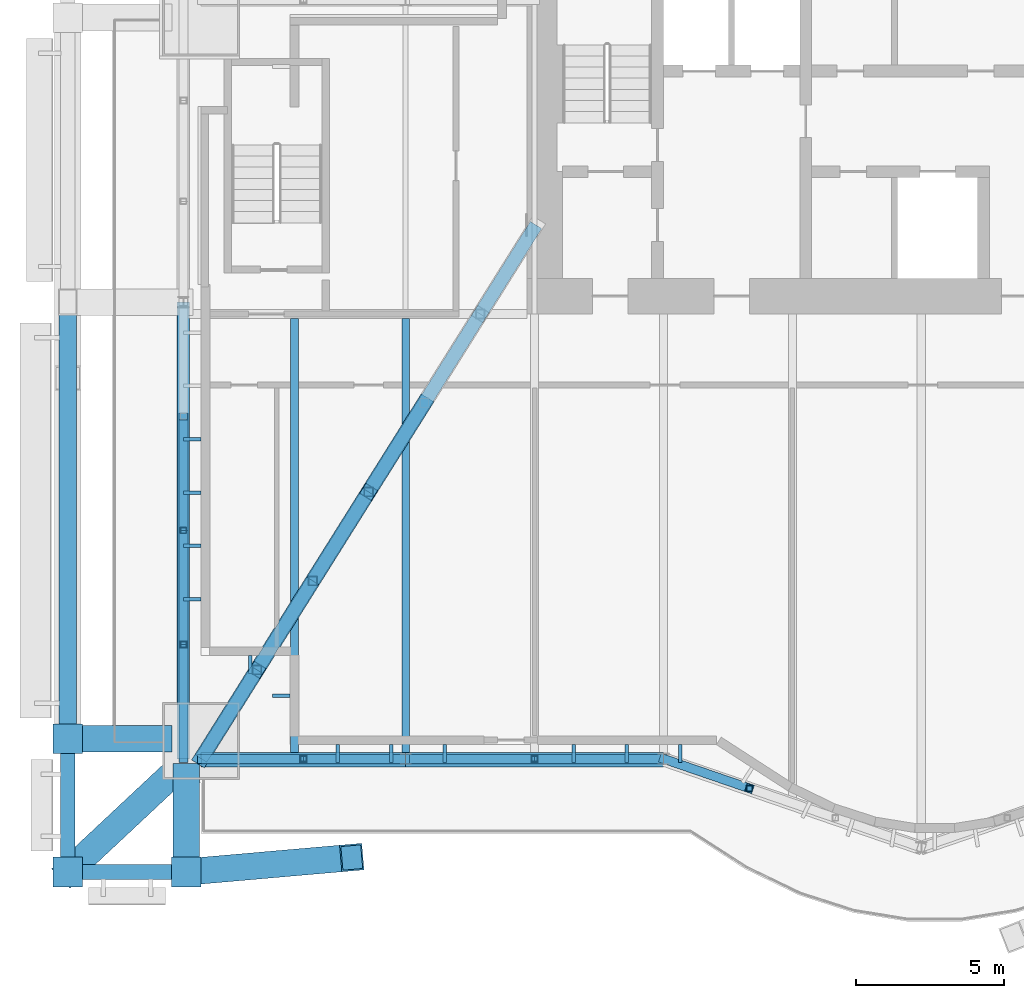
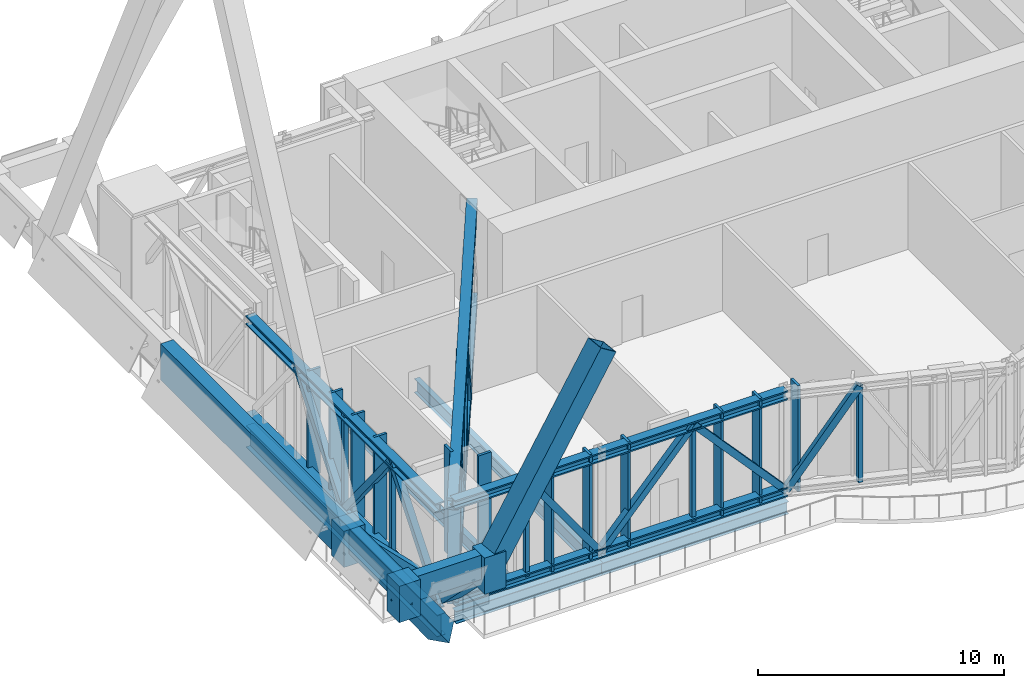
# One storey, part 5 of 31: 47 members, 8 beams, 1 element without a shape of its own.
"""IFC4 building model written with IfcOpenShell, lengths in metres."""

import ifcopenshell
import ifcopenshell.guid

model = None  # the IFC model being written
_history = None  # IfcOwnerHistory: only IFC2X3 demands one
_inside = {}  # id of a spatial element -> (the spatial element, [elements in it])
_under = {}  # id of a project, library or spatial element -> (it, [spatial elements below it])
_declared = {}  # id of a project -> (the project, [libraries it declares])
_typed = {}  # id of a type object -> (the type object, [elements of that type])
_made_of = {}  # id of a material, layer set ... -> (it, [elements and type objects made of it])


def new_model(schema):
    """Start an empty IFC model of exactly this schema.

    Asked for "IFC4X3", IfcOpenShell would pick the latest addendum, in which some entities
    have other attributes; the version numbers below select the first issue.
    IFC2X3 requires an IfcOwnerHistory on every rooted entity: one is made here for all.
    """
    global model, _history
    if schema == "IFC4X3":
        model = ifcopenshell.file(schema_version=(4, 3, 0, 0))
    else:
        model = ifcopenshell.file(schema=schema)
    _inside.clear()
    _under.clear()
    _declared.clear()
    _typed.clear()
    _made_of.clear()
    _history = None
    if model.schema == "IFC2X3":
        org = make("IfcOrganization", Name="unknown")
        user = make(
            "IfcPersonAndOrganization",
            ThePerson=make("IfcPerson", FamilyName="unknown"),
            TheOrganization=org,
        )
        app = make(
            "IfcApplication",
            ApplicationDeveloper=org,
            Version="unknown",
            ApplicationFullName="unknown",
            ApplicationIdentifier="unknown",
        )
        _history = make(
            "IfcOwnerHistory",
            OwningUser=user,
            OwningApplication=app,
            ChangeAction="ADDED",
            CreationDate=0,
        )
    return model


def make(cls, **values):
    """One entity of the class cls with the attributes given. An attribute that is None is left unset."""
    return model.create_entity(
        cls, **{name: value for name, value in values.items() if value is not None}
    )


def rooted(cls, **values):
    """An entity with a GlobalId (a new one), such as an element, a storey or a relation."""
    return make(cls, GlobalId=ifcopenshell.guid.new(), OwnerHistory=_history, **values)


def si_unit(unit_type, name, prefix=None):
    """IfcSIUnit, for example si_unit("LENGTHUNIT", "METRE", prefix="MILLI")."""
    return make("IfcSIUnit", UnitType=unit_type, Prefix=prefix, Name=name)


def assignment(units):
    """IfcUnitAssignment: the units of a project."""
    return None if units is None else make("IfcUnitAssignment", Units=units)


def point(xyz):
    """IfcCartesianPoint."""
    return None if xyz is None else make("IfcCartesianPoint", Coordinates=xyz)


def direction(xyz):
    """IfcDirection."""
    return None if xyz is None else make("IfcDirection", DirectionRatios=xyz)


def frame(location, z_axis=None, x_axis=None):
    """IfcAxis2Placement3D, a coordinate frame: its origin and axes. An axis left out is left unset."""
    return make(
        "IfcAxis2Placement3D",
        Location=point(location),
        Axis=direction(z_axis),
        RefDirection=direction(x_axis),
    )


def frame_2d(location, x_axis=None):
    """IfcAxis2Placement2D, a coordinate frame in the plane: its origin and x axis."""
    return make(
        "IfcAxis2Placement2D", Location=point(location), RefDirection=direction(x_axis)
    )


def origin():
    """The frame at (0, 0, 0) with its axes left unset."""
    return frame((0.0, 0.0, 0.0))


def origin_2d():
    """The frame at (0, 0) in the plane with its x axis left unset."""
    return frame_2d((0.0, 0.0))


def place(relative_to, where):
    """IfcLocalPlacement: puts the frame where relative to a parent placement (None: the world)."""
    return make(
        "IfcLocalPlacement", PlacementRelTo=relative_to, RelativePlacement=where
    )


def context(
    kind, dimensions, precision=None, world=None, true_north=None, identifier=None
):
    """IfcGeometricRepresentationContext, for example the 3D "Model" context."""
    return make(
        "IfcGeometricRepresentationContext",
        ContextIdentifier=identifier,
        ContextType=kind,
        CoordinateSpaceDimension=dimensions,
        Precision=precision,
        WorldCoordinateSystem=world,
        TrueNorth=true_north,
    )


def subcontext(parent, identifier, kind, view, scale=None):
    """IfcGeometricRepresentationSubContext, for example "Body" below "Model"."""
    return make(
        "IfcGeometricRepresentationSubContext",
        ContextIdentifier=identifier,
        ContextType=kind,
        ParentContext=parent,
        TargetScale=scale,
        TargetView=view,
    )


def project(units=None, contexts=None):
    """IfcProject with its units and contexts."""
    return rooted(
        "IfcProject",
        Name="project",
        RepresentationContexts=contexts,
        UnitsInContext=assignment(units),
    )


def spatial(cls, under=None, at=None, **own):
    """A site, building, storey or space (cls), placed at a placement, below another one or the project."""
    s = rooted(cls, ObjectPlacement=at, **own)
    if under is not None:
        _under.setdefault(under.id(), (under, []))[1].append(s)
    return s


def profile(cls, at=None, kind="AREA", **sizes):
    """A parametric profile (cls). Its sizes go by their IFC names, for example OverallWidth=200.0."""
    return make(cls, ProfileType=kind, Position=at, **sizes)


def rectangle(**sizes):
    """IfcRectangleProfileDef."""
    return profile("IfcRectangleProfileDef", **sizes)


def hollow_rectangle(**sizes):
    """IfcRectangleHollowProfileDef."""
    return profile("IfcRectangleHollowProfileDef", **sizes)


def i_section(**sizes):
    """IfcIShapeProfileDef."""
    return profile("IfcIShapeProfileDef", **sizes)


def extrude(swept, where, along, depth):
    """IfcExtrudedAreaSolid: the profile swept, set in the frame where, extruded along a direction by depth."""
    return make(
        "IfcExtrudedAreaSolid",
        SweptArea=swept,
        Position=where,
        ExtrudedDirection=direction(along),
        Depth=depth,
    )


def shape(context_of_items, identifier, shape_type, items):
    """IfcShapeRepresentation: the items that make up one representation, for example the "Body"."""
    return make(
        "IfcShapeRepresentation",
        ContextOfItems=context_of_items,
        RepresentationIdentifier=identifier,
        RepresentationType=shape_type,
        Items=items,
    )


def material(Name=None, Category=None):
    """IfcMaterial."""
    return make("IfcMaterial", Name=Name, Category=Category)


def material_profile(
    of_material, cross_section, Name=None, Category=None, Priority=None
):
    """IfcMaterialProfile: a cross section and its material."""
    return make(
        "IfcMaterialProfile",
        Name=Name,
        Material=of_material,
        Profile=cross_section,
        Priority=Priority,
        Category=Category,
    )


def profile_set(profiles, Name=None, composite=None):
    """IfcMaterialProfileSet."""
    return make(
        "IfcMaterialProfileSet",
        Name=Name,
        MaterialProfiles=profiles,
        CompositeProfile=composite,
    )


def made_of(thing, what):
    """Note that an element or type object is made of a material, layer set ...; save() writes the relation."""
    if what is not None:
        _made_of.setdefault(what.id(), (what, []))[1].append(thing)
    return thing


def type_object(cls, material=None, **own):
    """A type object (cls), such as IfcWallType, which elements share."""
    return made_of(rooted(cls, **own), material)


def element(
    cls,
    number,
    at=None,
    inside=None,
    cuts=None,
    type_object=None,
    material=None,
    context=None,
    identifier="Body",
    shape_type=None,
    held_by="IfcProductDefinitionShape",
    body=None,
    shapes=None,
    **own,
):
    """One element of the class cls, such as IfcWall. Its Tag is "e" and its number.

    at: its placement. inside: the storey or other place that contains it. cuts: it is an
    opening in that element (IfcRelVoidsElement). A single representation is given by context,
    identifier, shape_type and body (its items); several are given by shapes. held_by: the class
    of the entity that holds the representations. save() writes the other relations.
    """
    e = rooted(cls, Tag="e%d" % number, ObjectPlacement=at, **own)
    if body is not None:
        shapes = [shape(context, identifier, shape_type, body)]
    if shapes is not None:
        e.Representation = make(held_by, Representations=shapes)
    if inside is not None:
        _inside.setdefault(inside.id(), (inside, []))[1].append(e)
    if cuts is not None:
        rooted(
            "IfcRelVoidsElement", RelatingBuildingElement=cuts, RelatedOpeningElement=e
        )
    if type_object is not None:
        _typed.setdefault(type_object.id(), (type_object, []))[1].append(e)
    return made_of(e, material)


def aggregate(whole, parts):
    """IfcRelAggregates: a whole, such as a stair, and the parts it consists of."""
    return rooted("IfcRelAggregates", RelatingObject=whole, RelatedObjects=parts)


def save(model, path):
    """Write the relations noted so far, then the file.

    IfcRelAggregates (storeys below a building ...), IfcRelContainedInSpatialStructure (elements
    in a storey), IfcRelDefinesByType, IfcRelAssociatesMaterial and IfcRelDeclares: one each for
    every whole, place, type object, material and project.
    """
    for whole, parts in _under.values():
        aggregate(whole, parts)
    for where, things in _inside.values():
        rooted(
            "IfcRelContainedInSpatialStructure",
            RelatedElements=things,
            RelatingStructure=where,
        )
    for kind, things in _typed.values():
        rooted("IfcRelDefinesByType", RelatedObjects=things, RelatingType=kind)
    for what, things in _made_of.values():
        rooted("IfcRelAssociatesMaterial", RelatedObjects=things, RelatingMaterial=what)
    for by, libraries in _declared.values():
        rooted("IfcRelDeclares", RelatingContext=by, RelatedDefinitions=libraries)
    model.write(path)


model = new_model("IFC4")

# Units and contexts
model_context = context("Model", 3, precision=1e-05, world=origin(), true_north=direction((0.0, 1.0)))
body_context = subcontext(model_context, "Body", "Model", "MODEL_VIEW")
ifc_project = project(units=[si_unit("LENGTHUNIT", "METRE"), si_unit("AREAUNIT", "SQUARE_METRE"), si_unit("VOLUMEUNIT", "CUBIC_METRE"), si_unit("PLANEANGLEUNIT", "RADIAN"), si_unit("MASSUNIT", "GRAM", prefix="KILO")], contexts=[model_context])

# Site, building, storey
site_placement = place(None, origin())
site = spatial("IfcSite", under=ifc_project, at=site_placement, CompositionType="ELEMENT")
building_placement = place(site_placement, origin())
building = spatial("IfcBuilding", under=site, at=building_placement, Name="Bicima Exchange Tower", CompositionType="ELEMENT")
storey_placement = place(building_placement, frame((0.0, 0.0, 236.0)))
storey = spatial("IfcBuildingStorey", under=building, at=storey_placement, Name="L53", CompositionType="ELEMENT", Elevation=236.0)

# Curtain wall, members
ifc_material_1 = material(Name="Anodised bronze aluminium", Category="aluminium")
curtain_wall_type = type_object("IfcCurtainWallType", Name="Band blade screen", PredefinedType="NOTDEFINED", material=ifc_material_1)
curtain_wall_placement = place(storey_placement, origin())
curtain_wall = element("IfcCurtainWall", 1, at=curtain_wall_placement, inside=storey, type_object=curtain_wall_type, Name="Band blade screen L53", PredefinedType="NOTDEFINED")
ifc_material_profile_1 = material_profile(ifc_material_1, rectangle(XDim=0.60009765625, YDim=0.1201171875, at=origin_2d()))
ifc_profile_set_1 = profile_set([ifc_material_profile_1], Name="Anodised bronze aluminium")
member_type_1 = type_object("IfcMemberType", Name="Band blade fin 600 x 120", PredefinedType="USERDEFINED", material=ifc_profile_set_1)
member_1_placement = place(storey_placement, frame((-33.300048828125, -17.22802734375, 0.0), z_axis=(0.0, 0.0, 1.0), x_axis=(1.0, 0.0, 0.0)))
member_1 = element("IfcMember", 2, at=member_1_placement, type_object=member_type_1, Name="Band blade fin 13", ObjectType="FIN", PredefinedType="USERDEFINED", context=body_context, shape_type="SweptSolid", body=[
    extrude(rectangle(XDim=0.60009765625, YDim=0.1201171875, at=origin_2d()), origin(), (0.0, 0.0, 1.0), 5.25),
])
member_2_placement = place(storey_placement, frame((-33.300048828125, -19.028076171875, 0.0), z_axis=(0.0, 0.0, 1.0), x_axis=(1.0, 0.0, 0.0)))
member_2 = element("IfcMember", 3, at=member_2_placement, type_object=member_type_1, Name="Band blade fin 14", ObjectType="FIN", PredefinedType="USERDEFINED", context=body_context, shape_type="SweptSolid", body=[
    extrude(rectangle(XDim=0.60009765625, YDim=0.1201171875, at=origin_2d()), origin(), (0.0, 0.0, 1.0), 5.25),
])
member_3_placement = place(storey_placement, frame((-33.300048828125, -20.828125, 0.0), z_axis=(0.0, 0.0, 1.0), x_axis=(1.0, 0.0, 0.0)))
member_3 = element("IfcMember", 4, at=member_3_placement, type_object=member_type_1, Name="Band blade fin 15", ObjectType="FIN", PredefinedType="USERDEFINED", context=body_context, shape_type="SweptSolid", body=[
    extrude(rectangle(XDim=0.60009765625, YDim=0.1201171875, at=origin_2d()), origin(), (0.0, 0.0, 1.0), 5.25),
])
member_4_placement = place(storey_placement, frame((-33.300048828125, -22.628173828125, 0.0), z_axis=(0.0, 0.0, 1.0), x_axis=(1.0, 0.0, 0.0)))
member_4 = element("IfcMember", 5, at=member_4_placement, type_object=member_type_1, Name="Band blade fin 16", ObjectType="FIN", PredefinedType="USERDEFINED", context=body_context, shape_type="SweptSolid", body=[
    extrude(rectangle(XDim=0.60009765625, YDim=0.1201171875, at=origin_2d()), origin(), (0.0, 0.0, 1.0), 5.25),
])
member_5_placement = place(storey_placement, frame((-31.35009765625, -24.83203125, 0.0), z_axis=(0.0, 0.0, 1.0), x_axis=(0.0, 1.0, 0.0)))
member_5 = element("IfcMember", 6, at=member_5_placement, type_object=member_type_1, Name="Band blade fin 17", ObjectType="FIN", PredefinedType="USERDEFINED", context=body_context, shape_type="SweptSolid", body=[
    extrude(rectangle(XDim=0.60009765625, YDim=0.1201171875, at=origin_2d()), origin(), (0.0, 0.0, 1.0), 5.25),
])
member_6_placement = place(storey_placement, frame((-30.300048828125, -25.882080078125, 0.0), z_axis=(0.0, 0.0, 1.0), x_axis=(1.0, 0.0, 0.0)))
member_6 = element("IfcMember", 7, at=member_6_placement, type_object=member_type_1, Name="Band blade fin 18", ObjectType="FIN", PredefinedType="USERDEFINED", context=body_context, shape_type="SweptSolid", body=[
    extrude(rectangle(XDim=0.60009765625, YDim=0.1201171875, at=origin_2d()), origin(), (0.0, 0.0, 1.0), 5.25),
])
member_7_placement = place(storey_placement, frame((-28.38720703125, -27.83203125, 0.0), z_axis=(0.0, 0.0, 1.0), x_axis=(0.0, 1.0, 0.0)))
member_7 = element("IfcMember", 8, at=member_7_placement, type_object=member_type_1, Name="Band blade fin 19", ObjectType="FIN", PredefinedType="USERDEFINED", context=body_context, shape_type="SweptSolid", body=[
    extrude(rectangle(XDim=0.60009765625, YDim=0.1201171875, at=origin_2d()), origin(), (0.0, 0.0, 1.0), 5.25),
])
member_8_placement = place(storey_placement, frame((-26.587158203125, -27.83203125, 0.0), z_axis=(0.0, 0.0, 1.0), x_axis=(0.0, 1.0, 0.0)))
member_8 = element("IfcMember", 9, at=member_8_placement, type_object=member_type_1, Name="Band blade fin 20", ObjectType="FIN", PredefinedType="USERDEFINED", context=body_context, shape_type="SweptSolid", body=[
    extrude(rectangle(XDim=0.60009765625, YDim=0.1201171875, at=origin_2d()), origin(), (0.0, 0.0, 1.0), 5.25),
])
member_9_placement = place(storey_placement, frame((-24.787109375, -27.83203125, 0.0), z_axis=(0.0, 0.0, 1.0), x_axis=(0.0, 1.0, 0.0)))
member_9 = element("IfcMember", 10, at=member_9_placement, type_object=member_type_1, Name="Band blade fin 21", ObjectType="FIN", PredefinedType="USERDEFINED", context=body_context, shape_type="SweptSolid", body=[
    extrude(rectangle(XDim=0.60009765625, YDim=0.1201171875, at=origin_2d()), origin(), (0.0, 0.0, 1.0), 5.25),
])
member_10_placement = place(storey_placement, frame((-20.432373046875, -27.83203125, 0.0), z_axis=(0.0, 0.0, 1.0), x_axis=(0.0, 1.0, 0.0)))
member_10 = element("IfcMember", 11, at=member_10_placement, type_object=member_type_1, Name="Band blade fin 22", ObjectType="FIN", PredefinedType="USERDEFINED", context=body_context, shape_type="SweptSolid", body=[
    extrude(rectangle(XDim=0.60009765625, YDim=0.1201171875, at=origin_2d()), origin(), (0.0, 0.0, 1.0), 5.25),
])
member_11_placement = place(storey_placement, frame((-18.63232421875, -27.83203125, 0.0), z_axis=(0.0, 0.0, 1.0), x_axis=(0.0, 1.0, 0.0)))
member_11 = element("IfcMember", 12, at=member_11_placement, type_object=member_type_1, Name="Band blade fin 23", ObjectType="FIN", PredefinedType="USERDEFINED", context=body_context, shape_type="SweptSolid", body=[
    extrude(rectangle(XDim=0.60009765625, YDim=0.1201171875, at=origin_2d()), origin(), (0.0, 0.0, 1.0), 5.25),
])
member_12_placement = place(storey_placement, frame((-16.832275390625, -27.83203125, 0.0), z_axis=(0.0, 0.0, 1.0), x_axis=(0.0, 1.0, 0.0)))
member_12 = element("IfcMember", 13, at=member_12_placement, type_object=member_type_1, Name="Band blade fin 24", ObjectType="FIN", PredefinedType="USERDEFINED", context=body_context, shape_type="SweptSolid", body=[
    extrude(rectangle(XDim=0.60009765625, YDim=0.1201171875, at=origin_2d()), origin(), (0.0, 0.0, 1.0), 5.25),
])
aggregate(curtain_wall, [member_1, member_2, member_3, member_4, member_5, member_6, member_7, member_8, member_9, member_10, member_11, member_12])

# Beams
ifc_material_2 = material(Name="Steel ASTM A572 Gr 50", Category="steel")
ifc_material_profile_2 = material_profile(ifc_material_2, hollow_rectangle(XDim=0.5, YDim=1.199951171875, WallThickness=0.0400390625, at=origin_2d()))
ifc_profile_set_2 = profile_set([ifc_material_profile_2], Name="Steel ASTM A572 Gr 50")
beam_type_1 = type_object("IfcBeamType", Name="Belt girder BOX 500x1200x40", PredefinedType="BEAM", material=ifc_profile_set_2)
beam_1_placement = place(storey_placement, frame((-37.5, -31.82861328125, 4.64990234375), z_axis=(1.0, 0.0, 0.0), x_axis=(0.0, 1.0, 0.0)))
element("IfcBeam", 14, at=beam_1_placement, inside=storey, type_object=beam_type_1, Name="Belt girder", PredefinedType="BEAM", context=body_context, shape_type="SweptSolid", body=[
    extrude(hollow_rectangle(XDim=0.5, YDim=1.199951171875, WallThickness=0.0400390625, at=origin_2d()), origin(), (0.0, 0.0, 1.0), 4.0),
])
beam_2_placement = place(storey_placement, frame((-37.5, -27.32861328125, 4.64990234375), z_axis=(0.0, -1.0, 0.0), x_axis=(1.0, 0.0, 0.0)))
element("IfcBeam", 15, at=beam_2_placement, inside=storey, type_object=beam_type_1, Name="Belt girder", PredefinedType="BEAM", context=body_context, shape_type="SweptSolid", body=[
    extrude(hollow_rectangle(XDim=0.5, YDim=1.199951171875, WallThickness=0.0400390625, at=origin_2d()), origin(), (0.0, 0.0, 1.0), 4.5),
])
ifc_material_profile_3 = material_profile(ifc_material_2, hollow_rectangle(XDim=0.60009765625, YDim=1.800048828125, WallThickness=0.06005859375, at=origin_2d()))
ifc_profile_set_3 = profile_set([ifc_material_profile_3], Name="Steel ASTM A572 Gr 50")
beam_type_2 = type_object("IfcBeamType", Name="Belt girder BOX 600x1800x60", PredefinedType="BEAM", material=ifc_profile_set_3)
beam_3_placement = place(storey_placement, frame((-37.5, -12.60009765625, 4.35009765625), z_axis=(0.0, -1.0, 0.0), x_axis=(1.0, 0.0, 0.0)))
element("IfcBeam", 16, at=beam_3_placement, inside=storey, type_object=beam_type_2, Name="Belt girder", PredefinedType="BEAM", context=body_context, shape_type="SweptSolid", body=[
    extrude(hollow_rectangle(XDim=0.60009765625, YDim=1.800048828125, WallThickness=0.06005859375, at=origin_2d()), origin(), (0.0, 0.0, 1.0), 14.728515625),
])

# Members
ifc_material_3 = material(Name="Steel ASTM A992 Gr 50", Category="steel")
ifc_material_profile_4 = material_profile(ifc_material_3, i_section(OverallWidth=0.419189453125, OverallDepth=0.45458984375, WebThickness=0.042236328125, FlangeThickness=0.067626953125, at=origin_2d()))
ifc_profile_set_4 = profile_set([ifc_material_profile_4], Name="Steel ASTM A992 Gr 50")
member_type_2 = type_object("IfcMemberType", Name="Belt truss chord W14x370", PredefinedType="CHORD", material=ifc_profile_set_4)
for number, where, z_axis, x_axis, name in (
    (17, (-33.0, -28.010009765625, 5.022705078125), (1.0, 0.0, 0.0), (0.0, 1.0, 0.0), "Top chord"),
    (18, (-33.0, -28.010009765625, 0.227294921875), (1.0, 0.0, 0.0), (0.0, 1.0, 0.0), "Bottom chord"),
):
    element("IfcMember", number, at=place(storey_placement, frame(where, z_axis=z_axis, x_axis=x_axis)), inside=storey, type_object=member_type_2, Name=name, PredefinedType="CHORD", context=body_context, shape_type="SweptSolid", body=[
        extrude(i_section(OverallWidth=0.419189453125, OverallDepth=0.45458984375, WebThickness=0.042236328125, FlangeThickness=0.067626953125, at=origin_2d()), origin(), (0.0, 0.0, 1.0), 6.89990234375),
    ])
for number, where, z_axis, x_axis, name in (
    (19, (-26.10009765625, -28.010009765625, 5.022705078125), (1.0, 0.0, 0.0), (0.0, 1.0, 0.0), "Top chord"),
    (20, (-26.10009765625, -28.010009765625, 0.227294921875), (1.0, 0.0, 0.0), (0.0, 1.0, 0.0), "Bottom chord"),
):
    element("IfcMember", number, at=place(storey_placement, frame(where, z_axis=z_axis, x_axis=x_axis)), inside=storey, type_object=member_type_2, Name=name, PredefinedType="CHORD", context=body_context, shape_type="SweptSolid", body=[
        extrude(i_section(OverallWidth=0.419189453125, OverallDepth=0.45458984375, WebThickness=0.042236328125, FlangeThickness=0.067626953125, at=origin_2d()), origin(), (0.0, 0.0, 1.0), 8.7001953125),
    ])
for number, where, z_axis, x_axis, name in (
    (21, (-33.60009765625, -12.60009765625, 5.022705078125), (0.0, -1.0, 0.0), (1.0, 0.0, 0.0), "Top chord"),
    (22, (-33.60009765625, -12.60009765625, 0.227294921875), (0.0, -1.0, 0.0), (1.0, 0.0, 0.0), "Bottom chord"),
):
    element("IfcMember", number, at=place(storey_placement, frame(where, z_axis=z_axis, x_axis=x_axis)), inside=storey, type_object=member_type_2, Name=name, PredefinedType="CHORD", context=body_context, shape_type="SweptSolid", body=[
        extrude(i_section(OverallWidth=0.419189453125, OverallDepth=0.45458984375, WebThickness=0.042236328125, FlangeThickness=0.067626953125, at=origin_2d()), origin(), (0.0, 0.0, 1.0), 15.409912109375),
    ])
ifc_material_profile_5 = material_profile(ifc_material_2, hollow_rectangle(XDim=0.3046875, YDim=0.3046875, WallThickness=0.01171875, at=origin_2d()))
ifc_profile_set_5 = profile_set([ifc_material_profile_5], Name="Steel ASTM A572 Gr 50")
member_type_3 = type_object("IfcMemberType", Name="Belt truss diagonal HSS12x12x1/2", PredefinedType="STRUT", material=ifc_profile_set_5)
for number, where, z_axis, x_axis, name in (
    (23, (-33.0, -28.010009765625, 0.227294921875), (0.583998756388, 0.0, 0.811754551905), (0.0, 1.0, 0.0), "Truss diagonal"),
    (24, (-29.550048828125, -28.010009765625, 5.022705078125), (0.583998756388, 0.0, -0.811754551905), (0.0, 1.0, 0.0), "Truss diagonal"),
):
    element("IfcMember", number, at=place(storey_placement, frame(where, z_axis=z_axis, x_axis=x_axis)), inside=storey, type_object=member_type_3, Name=name, PredefinedType="STRUT", context=body_context, shape_type="SweptSolid", body=[
        extrude(hollow_rectangle(XDim=0.3046875, YDim=0.3046875, WallThickness=0.01171875, at=origin_2d()), origin(), (0.0, 0.0, 1.0), 5.907470703125),
    ])
for number, where, z_axis, x_axis, name in (
    (25, (-26.10009765625, -28.010009765625, 0.227294921875), (0.671880370918, 0.0, 0.740659683779), (0.0, 1.0, 0.0), "Truss diagonal"),
    (26, (-21.75, -28.010009765625, 5.022705078125), (0.671880370918, 0.0, -0.740659683779), (0.0, 1.0, 0.0), "Truss diagonal"),
):
    element("IfcMember", number, at=place(storey_placement, frame(where, z_axis=z_axis, x_axis=x_axis)), inside=storey, type_object=member_type_3, Name=name, PredefinedType="STRUT", context=body_context, shape_type="SweptSolid", body=[
        extrude(hollow_rectangle(XDim=0.3046875, YDim=0.3046875, WallThickness=0.01171875, at=origin_2d()), origin(), (0.0, 0.0, 1.0), 6.474609375),
    ])
member_13_placement = place(storey_placement, frame((-17.39990234375, -28.010009765625, 0.227294921875), z_axis=(0.509464516765, -0.175168638362, 0.842473651987), x_axis=(0.325146518908, 0.945663651222, 0.0)))
element("IfcMember", 27, at=member_13_placement, inside=storey, type_object=member_type_3, Name="Truss diagonal", PredefinedType="STRUT", context=body_context, shape_type="SweptSolid", body=[
    extrude(hollow_rectangle(XDim=0.3046875, YDim=0.3046875, WallThickness=0.01171875, at=origin_2d()), origin(), (0.0, 0.0, 1.0), 5.692138671875),
])
for number, where, z_axis, x_axis, name in (
    (28, (-33.60009765625, -16.452392578125, 5.022705078125), (0.0, -0.626300666436, -0.77958160267), (1.0, 0.0, 0.0), "Truss diagonal"),
    (29, (-33.60009765625, -20.304931640625, 0.227294921875), (0.0, -0.626300666436, 0.77958160267), (1.0, 0.0, 0.0), "Truss diagonal"),
    (30, (-33.60009765625, -24.157470703125, 5.022705078125), (0.0, -0.626300666436, -0.77958160267), (1.0, 0.0, 0.0), "Truss diagonal"),
):
    element("IfcMember", number, at=place(storey_placement, frame(where, z_axis=z_axis, x_axis=x_axis)), inside=storey, type_object=member_type_3, Name=name, PredefinedType="STRUT", context=body_context, shape_type="SweptSolid", body=[
        extrude(hollow_rectangle(XDim=0.3046875, YDim=0.3046875, WallThickness=0.01171875, at=origin_2d()), origin(), (0.0, 0.0, 1.0), 6.1513671875),
    ])
ifc_material_profile_6 = material_profile(ifc_material_2, hollow_rectangle(XDim=0.203125, YDim=0.203125, WallThickness=0.01171875, at=origin_2d()))
ifc_profile_set_6 = profile_set([ifc_material_profile_6], Name="Steel ASTM A572 Gr 50")
member_type_4 = type_object("IfcMemberType", Name="Belt truss post HSS8x8x1/2", PredefinedType="POST", material=ifc_profile_set_6)
for number, where, z_axis, x_axis, name in (
    (31, (-29.550048828125, -28.010009765625, 0.227294921875), (0.0, 0.0, 1.0), (1.0, 0.0, 0.0), "Truss post"),
    (32, (-21.75, -28.010009765625, 0.227294921875), (0.0, 0.0, 1.0), (1.0, 0.0, 0.0), "Truss post"),
    (33, (-14.5, -29.007080078125, 0.227294921875), (0.0, 0.0, 1.0), (1.0, 0.0, 0.0), "Truss post"),
    (34, (-33.60009765625, -20.304931640625, 0.227294921875), (0.0, 0.0, 1.0), (1.0, 0.0, 0.0), "Truss post"),
    (35, (-33.60009765625, -24.157470703125, 0.227294921875), (0.0, 0.0, 1.0), (1.0, 0.0, 0.0), "Truss post"),
):
    element("IfcMember", number, at=place(storey_placement, frame(where, z_axis=z_axis, x_axis=x_axis)), inside=storey, type_object=member_type_4, Name=name, PredefinedType="POST", context=body_context, shape_type="SweptSolid", body=[
        extrude(hollow_rectangle(XDim=0.203125, YDim=0.203125, WallThickness=0.01171875, at=origin_2d()), origin(), (0.0, 0.0, 1.0), 4.79541015625),
    ])

# Beam
ifc_material_profile_7 = material_profile(ifc_material_3, i_section(OverallWidth=0.4013671875, OverallDepth=1.089599609375, WebThickness=0.01806640625, FlangeThickness=0.031005859375, at=origin_2d()))
ifc_profile_set_7 = profile_set([ifc_material_profile_7], Name="Steel ASTM A992 Gr 50")
beam_type_3 = type_object("IfcBeamType", Name="End girder W44x230", PredefinedType="BEAM", material=ifc_profile_set_7)
beam_4_placement = place(storey_placement, frame((-33.60009765625, -12.60009765625, -0.744873046875), z_axis=(0.0, -1.0, 0.0), x_axis=(1.0, 0.0, 0.0)))
element("IfcBeam", 36, at=beam_4_placement, inside=storey, type_object=beam_type_3, Name="End girder", PredefinedType="BEAM", context=body_context, shape_type="SweptSolid", body=[
    extrude(i_section(OverallWidth=0.4013671875, OverallDepth=1.089599609375, WebThickness=0.01806640625, FlangeThickness=0.031005859375, at=origin_2d()), origin(), (0.0, 0.0, 1.0), 15.531982421875),
])

# Members
ifc_material_profile_8 = material_profile(ifc_material_2, hollow_rectangle(XDim=0.89990234375, YDim=0.89990234375, WallThickness=0.050048828125, at=origin_2d()))
ifc_profile_set_8 = profile_set([ifc_material_profile_8], Name="Steel ASTM A572 Gr 50")
member_type_5 = type_object("IfcMemberType", Name="Exo mega brace BOX 900x900x50", PredefinedType="BRACE", material=ifc_profile_set_8)
member_14_placement = place(storey_placement, frame((-33.5, -31.82861328125, 4.5), z_axis=(0.543906122045, 0.04751954313, 0.837799512666), x_axis=(-0.087035637192, 0.996205198671, 0.0)))
element("IfcMember", 37, at=member_14_placement, inside=storey, type_object=member_type_5, Name="Exo mega brace front", PredefinedType="BRACE", context=body_context, shape_type="SweptSolid", body=[
    extrude(hollow_rectangle(XDim=0.89990234375, YDim=0.89990234375, WallThickness=0.050048828125, at=origin_2d()), origin(), (0.0, 0.0, 1.0), 10.26513671875),
])
ifc_material_4 = material(Name="Cast steel ASTM A216 Gr WCB", Category="steel")
ifc_material_profile_9 = material_profile(ifc_material_4, rectangle(XDim=1.0, YDim=1.0, at=origin_2d()))
ifc_profile_set_9 = profile_set([ifc_material_profile_9], Name="Cast steel ASTM A216 Gr WCB")
member_type_6 = type_object("IfcMemberType", Name="Exo node block", PredefinedType="POST", material=ifc_profile_set_9)
for number, where, z_axis, x_axis, name in (
    (38, (-37.5, -31.82861328125, 3.449951171875), (0.0, 0.0, 1.0), (1.0, 0.0, 0.0), "Exo node block"),
    (39, (-33.5, -31.82861328125, 3.449951171875), (0.0, 0.0, 1.0), (1.0, 0.0, 0.0), "Exo node block"),
    (40, (-37.5, -27.32861328125, 3.449951171875), (0.0, 0.0, 1.0), (1.0, 0.0, 0.0), "Exo node block"),
):
    element("IfcMember", number, at=place(storey_placement, frame(where, z_axis=z_axis, x_axis=x_axis)), inside=storey, type_object=member_type_6, Name=name, PredefinedType="POST", context=body_context, shape_type="SweptSolid", body=[
        extrude(rectangle(XDim=1.0, YDim=1.0, at=origin_2d()), origin(), (0.0, 0.0, 1.0), 1.800048828125),
    ])
member_type_7 = type_object("IfcMemberType", Name="Exo outrigger stub BOX 900x900x50", PredefinedType="STRUT", material=ifc_profile_set_8)
member_15_placement = place(storey_placement, frame((-33.70703125, -28.279541015625, -0.89453125), z_axis=(-0.506479341854, -0.47391157264, 0.720337766324), x_axis=(0.683240404749, -0.730193501285, 0.0)))
element("IfcMember", 41, at=member_15_placement, inside=storey, type_object=member_type_7, Name="Exo outrigger stub", PredefinedType="STRUT", context=body_context, shape_type="SweptSolid", body=[
    extrude(hollow_rectangle(XDim=0.89990234375, YDim=0.89990234375, WallThickness=0.050048828125, at=origin_2d()), origin(), (0.0, 0.0, 1.0), 7.48876953125),
])
member_16_placement = place(storey_placement, frame((-33.5, -28.47998046875, 1.1513671875), z_axis=(0.0, -0.707106781187, 0.707106781187), x_axis=(1.0, 0.0, 0.0)))
element("IfcMember", 42, at=member_16_placement, inside=storey, type_object=member_type_7, Name="Exo outrigger stub", PredefinedType="STRUT", context=body_context, shape_type="SweptSolid", body=[
    extrude(hollow_rectangle(XDim=0.89990234375, YDim=0.89990234375, WallThickness=0.050048828125, at=origin_2d()), origin(), (0.0, 0.0, 1.0), 4.735595703125),
])
member_17_placement = place(storey_placement, frame((-34.300048828125, -27.32861328125, 1.300048828125), z_axis=(-0.707106781187, 0.0, 0.707106781187), x_axis=(0.0, -1.0, 0.0)))
element("IfcMember", 43, at=member_17_placement, inside=storey, type_object=member_type_7, Name="Exo outrigger stub", PredefinedType="STRUT", context=body_context, shape_type="SweptSolid", body=[
    extrude(hollow_rectangle(XDim=0.89990234375, YDim=0.89990234375, WallThickness=0.050048828125, at=origin_2d()), origin(), (0.0, 0.0, 1.0), 4.525390625),
])

# Beams
ifc_material_profile_10 = material_profile(ifc_material_3, i_section(OverallWidth=0.25390625, OverallDepth=0.67822265625, WebThickness=0.01171875, FlangeThickness=0.016357421875, at=origin_2d()))
ifc_profile_set_10 = profile_set([ifc_material_profile_10], Name="Steel ASTM A992 Gr 50")
beam_type_4 = type_object("IfcBeamType", Name="Floor beam W27x84", PredefinedType="JOIST", material=ifc_profile_set_10)
for number, where, z_axis, x_axis, name in (
    (44, (-29.85009765625, -13.15234375, -0.5390625), (0.0, -1.0, 0.0), (1.0, 0.0, 0.0), "Floor beam"),
    (45, (-26.10009765625, -13.15234375, -0.5390625), (0.0, -1.0, 0.0), (1.0, 0.0, 0.0), "Floor beam"),
):
    element("IfcBeam", number, at=place(storey_placement, frame(where, z_axis=z_axis, x_axis=x_axis)), inside=storey, type_object=beam_type_4, Name=name, PredefinedType="JOIST", context=body_context, shape_type="SweptSolid", body=[
        extrude(i_section(OverallWidth=0.25390625, OverallDepth=0.67822265625, WebThickness=0.01171875, FlangeThickness=0.016357421875, at=origin_2d()), origin(), (0.0, 0.0, 1.0), 14.817138671875),
    ])
ifc_material_profile_11 = material_profile(ifc_material_3, i_section(OverallWidth=0.3251953125, OverallDepth=0.612060546875, WebThickness=0.0126953125, FlangeThickness=0.01904296875, at=origin_2d()))
ifc_profile_set_11 = profile_set([ifc_material_profile_11], Name="Steel ASTM A992 Gr 50")
beam_type_5 = type_object("IfcBeamType", Name="Front girder W24x104", PredefinedType="BEAM", material=ifc_profile_set_11)
beam_5_placement = place(storey_placement, frame((-33.0, -28.132080078125, -0.506103515625), z_axis=(1.0, 0.0, 0.0), x_axis=(0.0, 1.0, 0.0)))
element("IfcBeam", 46, at=beam_5_placement, inside=storey, type_object=beam_type_5, Name="Front girder", PredefinedType="BEAM", context=body_context, shape_type="SweptSolid", body=[
    extrude(i_section(OverallWidth=0.3251953125, OverallDepth=0.612060546875, WebThickness=0.0126953125, FlangeThickness=0.01904296875, at=origin_2d()), origin(), (0.0, 0.0, 1.0), 6.89990234375),
])
beam_6_placement = place(storey_placement, frame((-26.10009765625, -28.132080078125, -0.506103515625), z_axis=(1.0, 0.0, 0.0), x_axis=(0.0, 1.0, 0.0)))
element("IfcBeam", 47, at=beam_6_placement, inside=storey, type_object=beam_type_5, Name="Front girder", PredefinedType="BEAM", context=body_context, shape_type="SweptSolid", body=[
    extrude(i_section(OverallWidth=0.3251953125, OverallDepth=0.612060546875, WebThickness=0.0126953125, FlangeThickness=0.01904296875, at=origin_2d()), origin(), (0.0, 0.0, 1.0), 8.7001953125),
])

# Members
ifc_material_profile_12 = material_profile(ifc_material_3, i_section(OverallWidth=0.45458984375, OverallDepth=0.56884765625, WebThickness=0.077880859375, FlangeThickness=0.124755859375, at=origin_2d()))
ifc_profile_set_12 = profile_set([ifc_material_profile_12], Name="Steel ASTM A992 Gr 50")
member_type_8 = type_object("IfcMemberType", Name="Outrigger truss chord W14x730", PredefinedType="CHORD", material=ifc_profile_set_12)
for number, where, z_axis, x_axis, name in (
    (48, (-21.699951171875, -10.0, 4.965576171875), (-0.531479277828, -0.847071294071, 0.0), (0.847071294071, -0.531479277828, 0.0), "Top chord"),
    (49, (-21.699951171875, -10.0, 0.284423828125), (-0.531479277828, -0.847071294071, 0.0), (0.847071294071, -0.531479277828, 0.0), "Bottom chord"),
):
    element("IfcMember", number, at=place(storey_placement, frame(where, z_axis=z_axis, x_axis=x_axis)), inside=storey, type_object=member_type_8, Name=name, PredefinedType="CHORD", context=body_context, shape_type="SweptSolid", body=[
        extrude(i_section(OverallWidth=0.45458984375, OverallDepth=0.56884765625, WebThickness=0.077880859375, FlangeThickness=0.124755859375, at=origin_2d()), origin(), (0.0, 0.0, 1.0), 21.261474609375),
    ])
ifc_material_profile_13 = material_profile(ifc_material_2, hollow_rectangle(XDim=0.508056640625, YDim=0.508056640625, WallThickness=0.017822265625, at=origin_2d()))
ifc_profile_set_13 = profile_set([ifc_material_profile_13], Name="Steel ASTM A572 Gr 50")
member_type_9 = type_object("IfcMemberType", Name="Outrigger truss diagonal HSS20x20x3/4", PredefinedType="STRUT", material=ifc_profile_set_13)
for number, where, z_axis, x_axis, name in (
    (50, (-25.466796875, -16.00341796875, 0.284423828125), (-0.320779497389, -0.51123452695, 0.797332911969), (0.847060245148, -0.531496887187, 0.0), "Truss diagonal"),
    (51, (-27.35009765625, -19.0048828125, 4.965576171875), (-0.32077267781, -0.511265241596, -0.797315961151), (0.847079707016, -0.531465869046, 0.0), "Truss diagonal"),
    (52, (-29.2333984375, -22.006591796875, 0.284423828125), (-0.32077267781, -0.511265241596, 0.797315961151), (0.847079707016, -0.531465869046, 0.0), "Truss diagonal"),
    (53, (-31.11669921875, -25.00830078125, 4.965576171875), (-0.32077267781, -0.511265241596, -0.797315961151), (0.847079707016, -0.531465869046, 0.0), "Truss diagonal"),
):
    element("IfcMember", number, at=place(storey_placement, frame(where, z_axis=z_axis, x_axis=x_axis)), inside=storey, type_object=member_type_9, Name=name, PredefinedType="STRUT", context=body_context, shape_type="SweptSolid", body=[
        extrude(hollow_rectangle(XDim=0.508056640625, YDim=0.508056640625, WallThickness=0.017822265625, at=origin_2d()), origin(), (0.0, 0.0, 1.0), 5.87109375),
    ])
member_type_10 = type_object("IfcMemberType", Name="Outrigger truss post HSS12x12x1/2", PredefinedType="POST", material=ifc_profile_set_5)
for number, where, z_axis, x_axis, name in (
    (54, (-27.35009765625, -19.0048828125, 0.284423828125), (0.0, 0.0, 1.0), (1.0, 0.0, 0.0), "Truss post"),
    (55, (-29.2333984375, -22.006591796875, 0.284423828125), (0.0, 0.0, 1.0), (1.0, 0.0, 0.0), "Truss post"),
    (56, (-31.11669921875, -25.00830078125, 0.284423828125), (0.0, 0.0, 1.0), (1.0, 0.0, 0.0), "Truss post"),
):
    element("IfcMember", number, at=place(storey_placement, frame(where, z_axis=z_axis, x_axis=x_axis)), inside=storey, type_object=member_type_10, Name=name, PredefinedType="POST", context=body_context, shape_type="SweptSolid", body=[
        extrude(hollow_rectangle(XDim=0.3046875, YDim=0.3046875, WallThickness=0.01171875, at=origin_2d()), origin(), (0.0, 0.0, 1.0), 4.68115234375),
    ])

save(model, "model.ifc")
